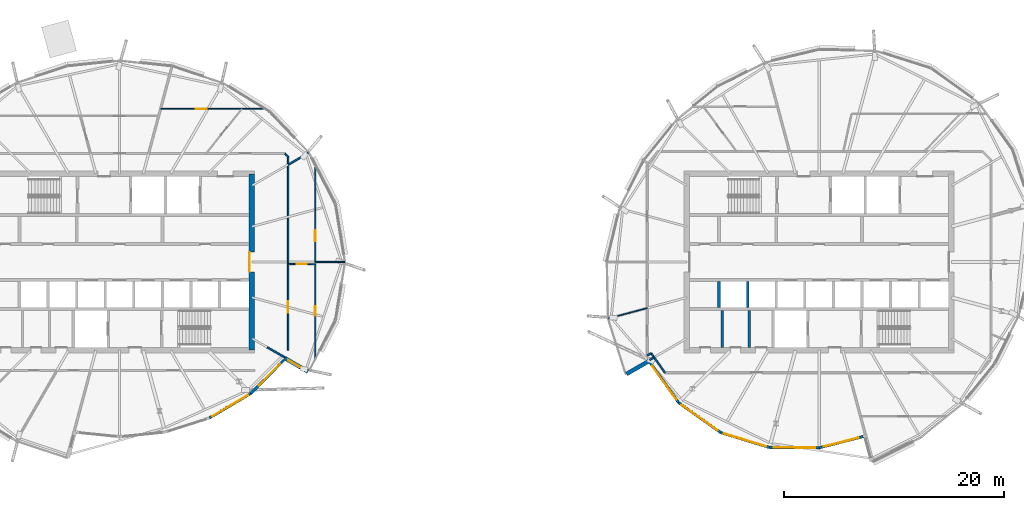
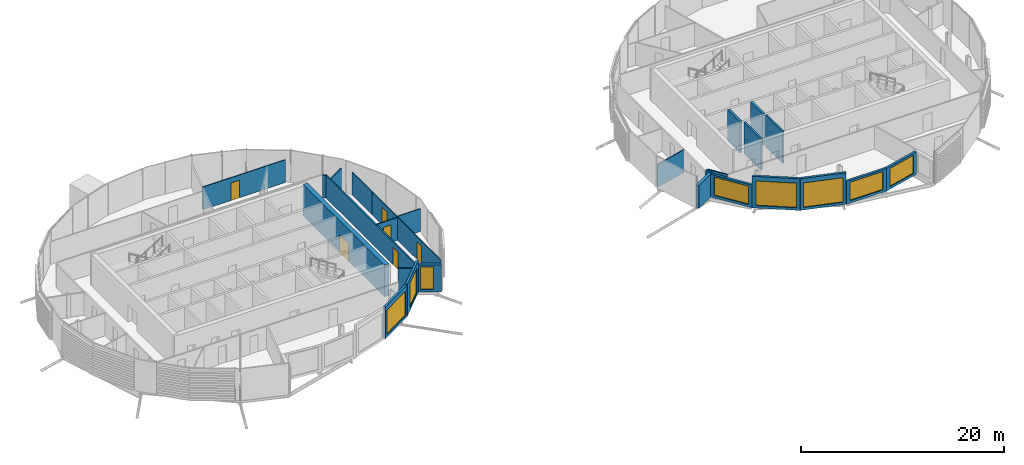
# One storey, part 18 of 33: 28 walls, 8 windows, 6 doors, 14 openings.
"""IFC4 building model written with IfcOpenShell, lengths in metres."""

from ifc_helpers import new_model, si_unit, direction, frame, frame_2d, origin, place, context, subcontext, project, spatial, rectangle, extrude, material, layer, layer_set, type_object, element, fill, save


model = new_model("IFC4")

# Units and contexts
model_context = context("Model", 3, precision=1e-05, world=origin(), true_north=direction((0.0, 1.0)))
body_context = subcontext(model_context, "Body", "Model", "MODEL_VIEW")
ifc_project = project(units=[si_unit("LENGTHUNIT", "METRE"), si_unit("AREAUNIT", "SQUARE_METRE"), si_unit("VOLUMEUNIT", "CUBIC_METRE"), si_unit("PLANEANGLEUNIT", "RADIAN"), si_unit("MASSUNIT", "GRAM", prefix="KILO")], contexts=[model_context])

# Site, building, storey
site_placement = place(None, origin())
site = spatial("IfcSite", under=ifc_project, at=site_placement, CompositionType="ELEMENT")
building_placement = place(site_placement, origin())
building = spatial("IfcBuilding", under=site, at=building_placement, Name="Rimbun Link Towers", CompositionType="ELEMENT")
storey_placement = place(building_placement, frame((0.0, 0.0, 237.10009765625)))
storey = spatial("IfcBuildingStorey", under=building, at=storey_placement, Name="L58", CompositionType="ELEMENT", Elevation=237.10009765625)

# Wall, opening, window
ifc_material_1 = material(Name="Dark enamelled glass spandrel on insulated aluminium backpan", Category="aluminium")
ifc_layer_1 = layer(ifc_material_1, 0.25)
ifc_layer_set_1 = layer_set([ifc_layer_1], Name="CS dark enamelled spandrel wall 250")
wall_type_1 = type_object("IfcWallType", Name="CS dark enamelled spandrel wall 250", PredefinedType="STANDARD", material=ifc_layer_set_1)
wall_1_placement = place(storey_placement, frame((-19.836669921875, -11.93505859375, 0.0), z_axis=(0.0, 0.0, 1.0), x_axis=(-0.860265171874, -0.50984687315, 0.0)))
wall_1 = element("IfcWall", 1, at=wall_1_placement, inside=storey, type_object=wall_type_1, Name="Crease spandrel wall", PredefinedType="STANDARD", context=body_context, shape_type="SweptSolid", body=[
    extrude(rectangle(XDim=4.36279296875, YDim=0.25, at=frame_2d((2.181396484375, 0.0))), origin(), (0.0, 0.0, 1.0), 3.7998046875),
])
opening_1_placement = place(wall_1_placement, frame((0.306396484375, 0.0, 0.300048828125)))
opening_1 = element("IfcOpeningElement", 2, at=opening_1_placement, cuts=wall_1, Name="Opening WR38H295", PredefinedType="OPENING", context=body_context, shape_type="SweptSolid", body=[
    extrude(rectangle(XDim=3.75, YDim=2.949951171875, at=frame_2d((1.875, 1.47509765625))), frame((0.0, 0.135009765625, 0.0), z_axis=(0.0, -1.0, 0.0), x_axis=(1.0, 0.0, 0.0)), (0.0, 0.0, 1.0), 0.27001953125),
])
ifc_material_2 = material(Name="Aluminium framed fixed window, dark tinted low-e glass", Category="aluminium")
window_type_1 = type_object("IfcWindowType", Name="WR ribbon window 3750X2950", PartitioningType="SINGLE_PANEL", PredefinedType="WINDOW", material=ifc_material_2)
window_1_placement = place(opening_1_placement, origin())
window_1 = element("IfcWindow", 3, at=window_1_placement, inside=storey, type_object=window_type_1, Name="Crease ribbon window", OverallHeight=2.949951171875, OverallWidth=3.75, PartitioningType="SINGLE_PANEL", PredefinedType="WINDOW", context=body_context, shape_type="SweptSolid", body=[
    extrude(rectangle(XDim=3.75, YDim=2.949951171875, at=frame_2d((1.875, 1.47509765625))), frame((0.0, 0.030029296875, 0.0), z_axis=(0.0, -1.0, 0.0), x_axis=(1.0, 0.0, 0.0)), (0.0, 0.0, 1.0), 0.06005859375),
])
fill(opening_1, window_1)

wall_2_placement = place(storey_placement, frame((-16.833251953125, -8.90087890625, 0.0), z_axis=(0.0, 0.0, 1.0), x_axis=(-0.703494922495, -0.710700284244, 0.0)))
wall_2 = element("IfcWall", 4, at=wall_2_placement, inside=storey, type_object=wall_type_1, Name="Crease spandrel wall", PredefinedType="STANDARD", context=body_context, shape_type="SweptSolid", body=[
    extrude(rectangle(XDim=4.269287109375, YDim=0.25, at=frame_2d((2.134765625, 0.0))), origin(), (0.0, 0.0, 1.0), 3.7998046875),
])
opening_2_placement = place(wall_2_placement, frame((0.471923828125, 0.0, 0.300048828125)))
opening_2 = element("IfcOpeningElement", 5, at=opening_2_placement, cuts=wall_2, Name="Opening WR28H295", PredefinedType="OPENING", context=body_context, shape_type="SweptSolid", body=[
    extrude(rectangle(XDim=2.75, YDim=2.949951171875, at=frame_2d((1.375, 1.47509765625))), frame((0.0, 0.135009765625, 0.0), z_axis=(0.0, -1.0, 0.0), x_axis=(1.0, 0.0, 0.0)), (0.0, 0.0, 1.0), 0.27001953125),
])
ifc_material_3 = material(Name="Aluminium framed fixed window, dark tinted low-e glass", Category="aluminium")
window_type_2 = type_object("IfcWindowType", Name="WR ribbon window 2750X2950", PartitioningType="SINGLE_PANEL", PredefinedType="WINDOW", material=ifc_material_3)
window_2_placement = place(opening_2_placement, origin())
window_2 = element("IfcWindow", 6, at=window_2_placement, inside=storey, type_object=window_type_2, Name="Crease ribbon window", OverallHeight=2.949951171875, OverallWidth=2.75, PartitioningType="SINGLE_PANEL", PredefinedType="WINDOW", context=body_context, shape_type="SweptSolid", body=[
    extrude(rectangle(XDim=2.75, YDim=2.949951171875, at=frame_2d((1.375, 1.47509765625))), frame((0.0, 0.030029296875, 0.0), z_axis=(0.0, -1.0, 0.0), x_axis=(1.0, 0.0, 0.0)), (0.0, 0.0, 1.0), 0.06005859375),
])
fill(opening_2, window_2)

wall_3_placement = place(storey_placement, frame((18.9853515625, -12.7646484375, 0.0), z_axis=(0.0, 0.0, 1.0), x_axis=(-0.579349370763, 0.81507932534, 0.0)))
wall_3 = element("IfcWall", 7, at=wall_3_placement, inside=storey, type_object=wall_type_1, Name="Crease spandrel wall", PredefinedType="STANDARD", context=body_context, shape_type="SweptSolid", body=[
    extrude(rectangle(XDim=4.442138671875, YDim=0.25, at=frame_2d((2.22119140625, 0.0))), origin(), (0.0, 0.0, 1.0), 2.7314453125),
])
opening_3_placement = place(wall_3_placement, frame((0.345947265625, 0.0, 0.300048828125)))
opening_3 = element("IfcOpeningElement", 8, at=opening_3_placement, cuts=wall_3, Name="Opening WR38H220", PredefinedType="OPENING", context=body_context, shape_type="SweptSolid", body=[
    extrude(rectangle(XDim=3.75, YDim=2.199951171875, at=frame_2d((1.875, 1.10009765625))), frame((0.0, 0.135009765625, 0.0), z_axis=(0.0, -1.0, 0.0), x_axis=(1.0, 0.0, 0.0)), (0.0, 0.0, 1.0), 0.27001953125),
])
ifc_material_4 = material(Name="Aluminium framed fixed window, dark tinted low-e glass", Category="aluminium")
window_type_3 = type_object("IfcWindowType", Name="WR ribbon window 3750X2200", PartitioningType="SINGLE_PANEL", PredefinedType="WINDOW", material=ifc_material_4)
window_3_placement = place(opening_3_placement, origin())
window_3 = element("IfcWindow", 9, at=window_3_placement, inside=storey, type_object=window_type_3, Name="Crease ribbon window", OverallHeight=2.199951171875, OverallWidth=3.75, PartitioningType="SINGLE_PANEL", PredefinedType="WINDOW", context=body_context, shape_type="SweptSolid", body=[
    extrude(rectangle(XDim=3.75, YDim=2.199951171875, at=frame_2d((1.875, 1.10009765625))), frame((0.0, 0.030029296875, 0.0), z_axis=(0.0, -1.0, 0.0), x_axis=(1.0, 0.0, 0.0)), (0.0, 0.0, 1.0), 0.06005859375),
])
fill(opening_3, window_3)

wall_4_placement = place(storey_placement, frame((22.8173828125, -15.488525390625, 0.0), z_axis=(0.0, 0.0, 1.0), x_axis=(-0.815068124379, 0.579365128931, 0.0)))
wall_4 = element("IfcWall", 10, at=wall_4_placement, inside=storey, type_object=wall_type_1, Name="Crease spandrel wall", PredefinedType="STANDARD", context=body_context, shape_type="SweptSolid", body=[
    extrude(rectangle(XDim=4.701416015625, YDim=0.25, at=frame_2d((2.3505859375, 0.0))), origin(), (0.0, 0.0, 1.0), 3.7998046875),
])
opening_4_placement = place(wall_4_placement, frame((0.350830078125, 0.0, 0.300048828125)))
opening_4 = element("IfcOpeningElement", 11, at=opening_4_placement, cuts=wall_4, Name="Opening WR40H295", PredefinedType="OPENING", context=body_context, shape_type="SweptSolid", body=[
    extrude(rectangle(XDim=4.0, YDim=2.949951171875, at=frame_2d((2.0, 1.47509765625))), frame((0.0, 0.135009765625, 0.0), z_axis=(0.0, -1.0, 0.0), x_axis=(1.0, 0.0, 0.0)), (0.0, 0.0, 1.0), 0.27001953125),
])
ifc_material_5 = material(Name="Aluminium framed fixed window, dark tinted low-e glass", Category="aluminium")
window_type_4 = type_object("IfcWindowType", Name="WR ribbon window 4000X2950", PartitioningType="SINGLE_PANEL", PredefinedType="WINDOW", material=ifc_material_5)
window_4_placement = place(opening_4_placement, origin())
window_4 = element("IfcWindow", 12, at=window_4_placement, inside=storey, type_object=window_type_4, Name="Crease ribbon window", OverallHeight=2.949951171875, OverallWidth=4.0, PartitioningType="SINGLE_PANEL", PredefinedType="WINDOW", context=body_context, shape_type="SweptSolid", body=[
    extrude(rectangle(XDim=4.0, YDim=2.949951171875, at=frame_2d((2.0, 1.47509765625))), frame((0.0, 0.030029296875, 0.0), z_axis=(0.0, -1.0, 0.0), x_axis=(1.0, 0.0, 0.0)), (0.0, 0.0, 1.0), 0.06005859375),
])
fill(opening_4, window_4)

wall_5_placement = place(storey_placement, frame((27.252197265625, -16.84033203125, 0.0), z_axis=(0.0, 0.0, 1.0), x_axis=(-0.956548795728, 0.291572291877, 0.0)))
wall_5 = element("IfcWall", 13, at=wall_5_placement, inside=storey, type_object=wall_type_1, Name="Crease spandrel wall", PredefinedType="STANDARD", context=body_context, shape_type="SweptSolid", body=[
    extrude(rectangle(XDim=4.63623046875, YDim=0.25, at=frame_2d((2.318115234375, 0.0))), origin(), (0.0, 0.0, 1.0), 3.7998046875),
])
opening_5_placement = place(wall_5_placement, frame((0.318115234375, 0.0, 0.300048828125)))
opening_5 = element("IfcOpeningElement", 14, at=opening_5_placement, cuts=wall_5, Name="Opening WR40H295", PredefinedType="OPENING", context=body_context, shape_type="SweptSolid", body=[
    extrude(rectangle(XDim=4.0, YDim=2.949951171875, at=frame_2d((2.0, 1.47509765625))), frame((0.0, 0.135009765625, 0.0), z_axis=(0.0, -1.0, 0.0), x_axis=(1.0, 0.0, 0.0)), (0.0, 0.0, 1.0), 0.27001953125),
])
window_5_placement = place(opening_5_placement, origin())
window_5 = element("IfcWindow", 15, at=window_5_placement, inside=storey, type_object=window_type_4, Name="Crease ribbon window", OverallHeight=2.949951171875, OverallWidth=4.0, PartitioningType="SINGLE_PANEL", PredefinedType="WINDOW", context=body_context, shape_type="SweptSolid", body=[
    extrude(rectangle(XDim=4.0, YDim=2.949951171875, at=frame_2d((2.0, 1.47509765625))), frame((0.0, 0.030029296875, 0.0), z_axis=(0.0, -1.0, 0.0), x_axis=(1.0, 0.0, 0.0)), (0.0, 0.0, 1.0), 0.06005859375),
])
fill(opening_5, window_5)

wall_6_placement = place(storey_placement, frame((31.765380859375, -16.86328125, 0.0), z_axis=(0.0, 0.0, 1.0), x_axis=(-0.999987071999, 0.005084863398, 0.0)))
wall_6 = element("IfcWall", 16, at=wall_6_placement, inside=storey, type_object=wall_type_1, Name="Crease spandrel wall", PredefinedType="STANDARD", context=body_context, shape_type="SweptSolid", body=[
    extrude(rectangle(XDim=4.51318359375, YDim=0.25, at=frame_2d((2.256591796875, 0.0))), origin(), (0.0, 0.0, 1.0), 2.7314453125),
])
opening_6_placement = place(wall_6_placement, frame((0.381591796875, 0.0, 0.300048828125)))
opening_6 = element("IfcOpeningElement", 17, at=opening_6_placement, cuts=wall_6, Name="Opening WR38H220", PredefinedType="OPENING", context=body_context, shape_type="SweptSolid", body=[
    extrude(rectangle(XDim=3.75, YDim=2.199951171875, at=frame_2d((1.875, 1.10009765625))), frame((0.0, 0.135009765625, 0.0), z_axis=(0.0, -1.0, 0.0), x_axis=(1.0, 0.0, 0.0)), (0.0, 0.0, 1.0), 0.27001953125),
])
window_6_placement = place(opening_6_placement, origin())
window_6 = element("IfcWindow", 18, at=window_6_placement, inside=storey, type_object=window_type_3, Name="Crease ribbon window", OverallHeight=2.199951171875, OverallWidth=3.75, PartitioningType="SINGLE_PANEL", PredefinedType="WINDOW", context=body_context, shape_type="SweptSolid", body=[
    extrude(rectangle(XDim=3.75, YDim=2.199951171875, at=frame_2d((1.875, 1.10009765625))), frame((0.0, 0.030029296875, 0.0), z_axis=(0.0, -1.0, 0.0), x_axis=(1.0, 0.0, 0.0)), (0.0, 0.0, 1.0), 0.06005859375),
])
fill(opening_6, window_6)

wall_7_placement = place(storey_placement, frame((35.737548828125, -15.84765625, 0.0), z_axis=(0.0, 0.0, 1.0), x_axis=(-0.96883262214, -0.247716269705, 0.0)))
wall_7 = element("IfcWall", 19, at=wall_7_placement, inside=storey, type_object=wall_type_1, Name="Crease spandrel wall", PredefinedType="STANDARD", context=body_context, shape_type="SweptSolid", body=[
    extrude(rectangle(XDim=4.099853515625, YDim=0.25, at=frame_2d((2.0498046875, 0.0))), origin(), (0.0, 0.0, 1.0), 2.7314453125),
])
opening_7_placement = place(wall_7_placement, frame((0.425048828125, 0.0, 0.300048828125)))
opening_7 = element("IfcOpeningElement", 20, at=opening_7_placement, cuts=wall_7, Name="Opening WR32H220", PredefinedType="OPENING", context=body_context, shape_type="SweptSolid", body=[
    extrude(rectangle(XDim=3.25, YDim=2.199951171875, at=frame_2d((1.625, 1.10009765625))), frame((0.0, 0.135009765625, 0.0), z_axis=(0.0, -1.0, 0.0), x_axis=(1.0, 0.0, 0.0)), (0.0, 0.0, 1.0), 0.27001953125),
])
ifc_material_6 = material(Name="Aluminium framed fixed window, dark tinted low-e glass", Category="aluminium")
window_type_5 = type_object("IfcWindowType", Name="WR ribbon window 3250X2200", PartitioningType="SINGLE_PANEL", PredefinedType="WINDOW", material=ifc_material_6)
window_7_placement = place(opening_7_placement, origin())
window_7 = element("IfcWindow", 21, at=window_7_placement, inside=storey, type_object=window_type_5, Name="Crease ribbon window", OverallHeight=2.199951171875, OverallWidth=3.25, PartitioningType="SINGLE_PANEL", PredefinedType="WINDOW", context=body_context, shape_type="SweptSolid", body=[
    extrude(rectangle(XDim=3.25, YDim=2.199951171875, at=frame_2d((1.625, 1.10009765625))), frame((0.0, 0.030029296875, 0.0), z_axis=(0.0, -1.0, 0.0), x_axis=(1.0, 0.0, 0.0)), (0.0, 0.0, 1.0), 0.06005859375),
])
fill(opening_7, window_7)

ifc_material_7 = material(Name="Dark enamelled glass spandrel on insulated aluminium backpan", Category="aluminium")
ifc_layer_2 = layer(ifc_material_7, 0.3701171875)
ifc_layer_set_2 = layer_set([ifc_layer_2], Name="CS dark enamelled spandrel wall 370")
wall_type_2 = type_object("IfcWallType", Name="CS dark enamelled spandrel wall 370", PredefinedType="STANDARD", material=ifc_layer_set_2)
wall_8_placement = place(storey_placement, frame((-14.648193359375, -9.948974609375, 0.0), z_axis=(0.0, 0.0, 1.0), x_axis=(-0.866023285932, 0.50000366821, 0.0)))
wall_8 = element("IfcWall", 22, at=wall_8_placement, inside=storey, type_object=wall_type_2, Name="Crease spandrel wall", PredefinedType="STANDARD", context=body_context, shape_type="SweptSolid", body=[
    extrude(rectangle(XDim=2.47998046875, YDim=0.3701171875, at=frame_2d((1.239990234375, 0.0))), origin(), (0.0, 0.0, 1.0), 3.243408203125),
])
opening_8_placement = place(wall_8_placement, frame((0.819091796875, 0.0, 0.300048828125)))
opening_8 = element("IfcOpeningElement", 23, at=opening_8_placement, cuts=wall_8, Name="Opening WR12H270", PredefinedType="OPENING", context=body_context, shape_type="SweptSolid", body=[
    extrude(rectangle(XDim=1.25, YDim=2.699951171875, at=frame_2d((0.625, 1.35009765625))), frame((0.0, 0.195068359375, 0.0), z_axis=(0.0, -1.0, 0.0), x_axis=(1.0, 0.0, 0.0)), (0.0, 0.0, 1.0), 0.39013671875),
])
ifc_material_8 = material(Name="Aluminium framed fixed window, dark tinted low-e glass", Category="aluminium")
window_type_6 = type_object("IfcWindowType", Name="WR ribbon window 1250X2700", PartitioningType="SINGLE_PANEL", PredefinedType="WINDOW", material=ifc_material_8)
window_8_placement = place(opening_8_placement, origin())
window_8 = element("IfcWindow", 24, at=window_8_placement, inside=storey, type_object=window_type_6, Name="Crease ribbon window", OverallHeight=2.699951171875, OverallWidth=1.25, PartitioningType="SINGLE_PANEL", PredefinedType="WINDOW", context=body_context, shape_type="SweptSolid", body=[
    extrude(rectangle(XDim=1.25, YDim=2.699951171875, at=frame_2d((0.625, 1.35009765625))), frame((0.0, 0.030029296875, 0.0), z_axis=(0.0, -1.0, 0.0), x_axis=(1.0, 0.0, 0.0)), (0.0, 0.0, 1.0), 0.06005859375),
])
fill(opening_8, window_8)

# Walls
wall_9_placement = place(storey_placement, frame((16.40771484375, -8.93310546875, 0.0), z_axis=(0.0, 0.0, 1.0), x_axis=(-0.866023285932, -0.50000366821, 0.0)))
element("IfcWall", 25, at=wall_9_placement, inside=storey, type_object=wall_type_2, Name="Crease spandrel wall", PredefinedType="STANDARD", context=body_context, shape_type="SweptSolid", body=[
    extrude(rectangle(XDim=2.47998046875, YDim=0.3701171875, at=frame_2d((1.239990234375, 0.0))), origin(), (0.0, 0.0, 1.0), 2.7314453125),
])
ifc_material_9 = material(Name="Masonry blockwork", Category="masonry")
ifc_layer_3 = layer(ifc_material_9, 0.199951171875)
ifc_layer_set_3 = layer_set([ifc_layer_3], Name="Core partition 200")
wall_type_3 = type_object("IfcWallType", Name="Core partition 200", PredefinedType="PARTITIONING", material=ifc_layer_set_3)
for number, where, z_axis, x_axis, name in (
    (26, (22.949951171875, -4.39990234375, 0.0), (0.0, 0.0, 1.0), (0.0, -1.0, 0.0), "L58 T2 core wall C1"),
    (27, (25.39990234375, -4.39990234375, 0.0), (0.0, 0.0, 1.0), (0.0, -1.0, 0.0), "L58 T2 core wall C2"),
):
    element("IfcWall", number, at=place(storey_placement, frame(where, z_axis=z_axis, x_axis=x_axis)), inside=storey, type_object=wall_type_3, Name=name, PredefinedType="PARTITIONING", context=body_context, shape_type="SweptSolid", body=[
        extrude(rectangle(XDim=3.35009765625, YDim=0.199951171875, at=frame_2d((1.675048828125, 0.0))), origin(), (0.0, 0.0, 1.0), 3.7998046875),
    ])

# Wall, opening, door
ifc_material_10 = material(Name="Concrete C60/75", Category="concrete")
ifc_layer_4 = layer(ifc_material_10, 0.5)
ifc_layer_set_4 = layer_set([ifc_layer_4], Name="Core shear wall 500")
wall_type_4 = type_object("IfcWallType", Name="Core shear wall 500", PredefinedType="SHEAR", material=ifc_layer_set_4)
wall_10_placement = place(storey_placement, frame((-19.75, -8.0, 0.0), z_axis=(0.0, 0.0, 1.0), x_axis=(0.0, 1.0, 0.0)))
wall_10 = element("IfcWall", 28, at=wall_10_placement, inside=storey, type_object=wall_type_4, Name="L58 T1 core wall E", PredefinedType="SHEAR", context=body_context, shape_type="SweptSolid", body=[
    extrude(rectangle(XDim=16.0, YDim=0.5, at=frame_2d((8.0, 0.0))), origin(), (0.0, 0.0, 1.0), 3.7998046875),
])
opening_9_placement = place(wall_10_placement, frame((7.10009765625, 0.0, 0.0)))
opening_9 = element("IfcOpeningElement", 29, at=opening_9_placement, cuts=wall_10, Name="Opening C1DCL01E", PredefinedType="OPENING", context=body_context, shape_type="SweptSolid", body=[
    extrude(rectangle(XDim=1.800048828125, YDim=2.10009765625, at=frame_2d((0.89990234375, 1.050048828125))), frame((0.0, 0.260009765625, 0.0), z_axis=(0.0, -1.0, 0.0), x_axis=(1.0, 0.0, 0.0)), (0.0, 0.0, 1.0), 0.52001953125),
])
ifc_material_11 = material(Name="Steel fire door set", Category="steel")
door_type_1 = type_object("IfcDoorType", Name="Core lobby door double", OperationType="DOUBLE_DOOR_SINGLE_SWING", PredefinedType="DOOR", material=ifc_material_11)
door_1_placement = place(opening_9_placement, origin())
door_1 = element("IfcDoor", 30, at=door_1_placement, inside=storey, type_object=door_type_1, Name="L58 T1 lift lobby door", OperationType="DOUBLE_DOOR_SINGLE_SWING", OverallHeight=2.10009765625, OverallWidth=1.800048828125, PredefinedType="DOOR", context=body_context, shape_type="SweptSolid", body=[
    extrude(rectangle(XDim=1.800048828125, YDim=2.10009765625, at=frame_2d((0.89990234375, 1.050048828125))), frame((0.0, 0.25, 0.0), z_axis=(0.0, -1.0, 0.0), x_axis=(1.0, 0.0, 0.0)), (0.0, 0.0, 1.0), 0.050048828125),
])
fill(opening_9, door_1)

ifc_material_12 = material(Name="Plasterboard on steel stud, mineral wool", Category="steel")
ifc_layer_5 = layer(ifc_material_12, 0.14990234375)
ifc_layer_set_5 = layer_set([ifc_layer_5], Name="Corridor wall EI 30 150 mm")
wall_type_5 = type_object("IfcWallType", Name="Corridor wall EI 30 150 mm", PredefinedType="PARTITIONING", material=ifc_layer_set_5)
wall_11_placement = place(storey_placement, frame((-16.445068359375, 9.543701171875, 0.0), z_axis=(0.0, 0.0, 1.0), x_axis=(0.0, -1.0, 0.0)))
wall_11 = element("IfcWall", 31, at=wall_11_placement, inside=storey, type_object=wall_type_5, Name="Corridor wall EI 30 150 mm", PredefinedType="PARTITIONING", context=body_context, shape_type="SweptSolid", body=[
    extrude(rectangle(XDim=17.53564453125, YDim=0.14990234375, at=frame_2d((8.767822265625, 0.0))), origin(), (0.0, 0.0, 1.0), 2.721923828125),
])
opening_10_placement = place(wall_11_placement, frame((13.127197265625, 0.0, 0.0)))
opening_10 = element("IfcOpeningElement", 32, at=opening_10_placement, cuts=wall_11, Name="Opening D01", PredefinedType="OPENING", context=body_context, shape_type="SweptSolid", body=[
    extrude(rectangle(XDim=1.0, YDim=2.10009765625, at=frame_2d((0.5, 1.050048828125))), frame((0.0, 0.0849609375, 0.0), z_axis=(0.0, -1.0, 0.0), x_axis=(1.0, 0.0, 0.0)), (0.0, 0.0, 1.0), 0.169921875),
])
ifc_material_13 = material(Name="Fire-resisting timber door leaf", Category="wood")
door_type_2 = type_object("IfcDoorType", Name="Fire door FD30S 1000", OperationType="NOTDEFINED", PredefinedType="DOOR", material=ifc_material_13)
door_2_placement = place(opening_10_placement, origin())
door_2 = element("IfcDoor", 33, at=door_2_placement, inside=storey, type_object=door_type_2, Name="Fire door FD30S 1000 to Reception", OperationType="SINGLE_SWING_LEFT", OverallHeight=2.10009765625, OverallWidth=1.0, PredefinedType="DOOR", context=body_context, shape_type="SweptSolid", body=[
    extrude(rectangle(XDim=1.0, YDim=2.10009765625, at=frame_2d((0.5, 1.050048828125))), frame((0.0, 0.02490234375, 0.0), z_axis=(0.0, -1.0, 0.0), x_axis=(1.0, 0.0, 0.0)), (0.0, 0.0, 1.0), 0.050048828125),
])
fill(opening_10, door_2)

# Walls
wall_12_placement = place(storey_placement, frame((-16.445068359375, 9.543701171875, 0.0), z_axis=(0.0, 0.0, 1.0), x_axis=(-0.707106781187, 0.707106781187, 0.0)))
element("IfcWall", 34, at=wall_12_placement, inside=storey, type_object=wall_type_5, Name="Corridor wall EI 30 150 mm", PredefinedType="PARTITIONING", context=body_context, shape_type="SweptSolid", body=[
    extrude(rectangle(XDim=0.426025390625, YDim=0.14990234375, at=frame_2d((0.212890625, 0.0))), origin(), (0.0, 0.0, 1.0), 2.721923828125),
])
wall_13_placement = place(storey_placement, frame((16.504638671875, -8.2822265625, 0.0), z_axis=(0.0, 0.0, 1.0), x_axis=(0.579357158971, -0.815073789512, 0.0)))
element("IfcWall", 35, at=wall_13_placement, inside=storey, type_object=wall_type_5, Name="Corridor wall EI 30 150 mm", PredefinedType="PARTITIONING", context=body_context, shape_type="SweptSolid", body=[
    extrude(rectangle(XDim=2.16259765625, YDim=0.14990234375, at=frame_2d((1.081298828125, 0.0))), origin(), (0.0, 0.0, 1.0), 2.721923828125),
])
wall_14_placement = place(storey_placement, frame((16.14501953125, -8.489990234375, 0.0), z_axis=(0.0, 0.0, 1.0), x_axis=(0.86588204838, 0.500248216681, 0.0)))
element("IfcWall", 36, at=wall_14_placement, inside=storey, type_object=wall_type_5, Name="Corridor wall EI 30 150 mm", PredefinedType="PARTITIONING", context=body_context, shape_type="SweptSolid", body=[
    extrude(rectangle(XDim=0.415283203125, YDim=0.14990234375, at=frame_2d((0.20751953125, 0.0))), origin(), (0.0, 0.0, 1.0), 2.721923828125),
])

# Wall, opening, door
ifc_material_14 = material(Name="Plasterboard on steel stud", Category="steel")
ifc_layer_6 = layer(ifc_material_14, 0.10009765625)
ifc_layer_set_6 = layer_set([ifc_layer_6], Name="Plasterboard partition 100 mm")
wall_type_6 = type_object("IfcWallType", Name="Plasterboard partition 100 mm", PredefinedType="PARTITIONING", material=ifc_layer_set_6)
wall_15_placement = place(storey_placement, frame((-16.445068359375, -0.1748046875, 0.0), z_axis=(0.0, 0.0, 1.0), x_axis=(0.999934875119, -0.011412515943, 0.0)))
wall_15 = element("IfcWall", 37, at=wall_15_placement, inside=storey, type_object=wall_type_6, Name="Plasterboard partition 100 mm", PredefinedType="PARTITIONING", context=body_context, shape_type="SweptSolid", body=[
    extrude(rectangle(XDim=2.460205078125, YDim=0.10009765625, at=frame_2d((1.22998046875, 0.0))), origin(), (0.0, 0.0, 1.0), 2.721923828125),
])
opening_11_placement = place(wall_15_placement, frame((0.780029296875, 0.0, 0.0)))
opening_11 = element("IfcOpeningElement", 38, at=opening_11_placement, cuts=wall_15, Name="Opening D04", PredefinedType="OPENING", context=body_context, shape_type="SweptSolid", body=[
    extrude(rectangle(XDim=0.89990234375, YDim=2.10009765625, at=frame_2d((0.449951171875, 1.050048828125))), frame((0.0, 0.06005859375, 0.0), z_axis=(0.0, -1.0, 0.0), x_axis=(1.0, 0.0, 0.0)), (0.0, 0.0, 1.0), 0.1201171875),
])
ifc_material_15 = material(Name="Timber door leaf", Category="wood")
door_type_3 = type_object("IfcDoorType", Name="Flush door 900", OperationType="NOTDEFINED", PredefinedType="DOOR", material=ifc_material_15)
door_3_placement = place(opening_11_placement, origin())
door_3 = element("IfcDoor", 39, at=door_3_placement, inside=storey, type_object=door_type_3, Name="Flush door 900 to Meeting room", OperationType="SINGLE_SWING_LEFT", OverallHeight=2.10009765625, OverallWidth=0.89990234375, PredefinedType="DOOR", context=body_context, shape_type="SweptSolid", body=[
    extrude(rectangle(XDim=0.89990234375, YDim=2.10009765625, at=frame_2d((0.449951171875, 1.050048828125))), frame((0.0, 0.02490234375, 0.0), z_axis=(0.0, -1.0, 0.0), x_axis=(1.0, 0.0, 0.0)), (0.0, 0.0, 1.0), 0.050048828125),
])
fill(opening_11, door_3)

wall_16_placement = place(storey_placement, frame((-13.985107421875, -0.1728515625, 0.0), z_axis=(0.0, 0.0, 1.0), x_axis=(0.0, -1.0, 0.0)))
wall_16 = element("IfcWall", 40, at=wall_16_placement, inside=storey, type_object=wall_type_6, Name="Plasterboard partition 100 mm", PredefinedType="PARTITIONING", context=body_context, shape_type="SweptSolid", body=[
    extrude(rectangle(XDim=8.54443359375, YDim=0.10009765625, at=frame_2d((4.272216796875, 0.0))), origin(), (0.0, 0.0, 1.0), 2.721923828125),
])
opening_12_placement = place(wall_16_placement, frame((3.822265625, 0.0, 0.0)))
opening_12 = element("IfcOpeningElement", 41, at=opening_12_placement, cuts=wall_16, Name="Opening D04", PredefinedType="OPENING", context=body_context, shape_type="SweptSolid", body=[
    extrude(rectangle(XDim=0.89990234375, YDim=2.10009765625, at=frame_2d((0.449951171875, 1.050048828125))), frame((0.0, 0.06005859375, 0.0), z_axis=(0.0, -1.0, 0.0), x_axis=(1.0, 0.0, 0.0)), (0.0, 0.0, 1.0), 0.1201171875),
])
door_4_placement = place(opening_12_placement, origin())
door_4 = element("IfcDoor", 42, at=door_4_placement, inside=storey, type_object=door_type_3, Name="Flush door 900 to Executive office", OperationType="SINGLE_SWING_RIGHT", OverallHeight=2.10009765625, OverallWidth=0.89990234375, PredefinedType="DOOR", context=body_context, shape_type="SweptSolid", body=[
    extrude(rectangle(XDim=0.89990234375, YDim=2.10009765625, at=frame_2d((0.449951171875, 1.050048828125))), frame((0.0, 0.02490234375, 0.0), z_axis=(0.0, -1.0, 0.0), x_axis=(1.0, 0.0, 0.0)), (0.0, 0.0, 1.0), 0.050048828125),
])
fill(opening_12, door_4)

wall_17_placement = place(storey_placement, frame((-13.985107421875, 4.76025390625, 0.0), z_axis=(0.0, 0.0, 1.0), x_axis=(0.0, -1.0, 0.0)))
wall_17 = element("IfcWall", 43, at=wall_17_placement, inside=storey, type_object=wall_type_6, Name="Plasterboard partition 100 mm", PredefinedType="PARTITIONING", context=body_context, shape_type="SweptSolid", body=[
    extrude(rectangle(XDim=4.76025390625, YDim=0.10009765625, at=frame_2d((2.380126953125, 0.0))), origin(), (0.0, 0.0, 1.0), 2.721923828125),
])
opening_13_placement = place(wall_17_placement, frame((1.880126953125, 0.0, 0.0)))
opening_13 = element("IfcOpeningElement", 44, at=opening_13_placement, cuts=wall_17, Name="Opening D03", PredefinedType="OPENING", context=body_context, shape_type="SweptSolid", body=[
    extrude(rectangle(XDim=1.0, YDim=2.10009765625, at=frame_2d((0.5, 1.050048828125))), frame((0.0, 0.06005859375, 0.0), z_axis=(0.0, -1.0, 0.0), x_axis=(1.0, 0.0, 0.0)), (0.0, 0.0, 1.0), 0.1201171875),
])
ifc_material_16 = material(Name="Timber door leaf", Category="wood")
door_type_4 = type_object("IfcDoorType", Name="Flush door 1000", OperationType="NOTDEFINED", PredefinedType="DOOR", material=ifc_material_16)
door_5_placement = place(opening_13_placement, origin())
door_5 = element("IfcDoor", 45, at=door_5_placement, inside=storey, type_object=door_type_4, Name="Flush door 1000 to Open office", OperationType="SINGLE_SWING_RIGHT", OverallHeight=2.10009765625, OverallWidth=1.0, PredefinedType="DOOR", context=body_context, shape_type="SweptSolid", body=[
    extrude(rectangle(XDim=1.0, YDim=2.10009765625, at=frame_2d((0.5, 1.050048828125))), frame((0.0, 0.02490234375, 0.0), z_axis=(0.0, -1.0, 0.0), x_axis=(1.0, 0.0, 0.0)), (0.0, 0.0, 1.0), 0.050048828125),
])
fill(opening_13, door_5)

# Walls
wall_18_placement = place(storey_placement, frame((-13.985107421875, 4.76025390625, 0.0), z_axis=(0.0, 0.0, 1.0), x_axis=(0.0, 1.0, 0.0)))
element("IfcWall", 46, at=wall_18_placement, inside=storey, type_object=wall_type_6, Name="Plasterboard partition 100 mm", PredefinedType="PARTITIONING", context=body_context, shape_type="SweptSolid", body=[
    extrude(rectangle(XDim=3.95703125, YDim=0.10009765625, at=frame_2d((1.978515625, 0.0))), origin(), (0.0, 0.0, 1.0), 2.721923828125),
])
wall_19_placement = place(storey_placement, frame((-11.32470703125, 0.0, 0.0), z_axis=(0.0, 0.0, 1.0), x_axis=(-1.0, 0.0, 0.0)))
element("IfcWall", 47, at=wall_19_placement, inside=storey, type_object=wall_type_6, Name="Plasterboard partition 100 mm", PredefinedType="PARTITIONING", context=body_context, shape_type="SweptSolid", body=[
    extrude(rectangle(XDim=2.660400390625, YDim=0.10009765625, at=frame_2d((1.330078125, 0.0))), origin(), (0.0, 0.0, 1.0), 2.721923828125),
])

# Wall, opening, door
wall_20_placement = place(storey_placement, frame((-28.02685546875, 13.89501953125, 0.0), z_axis=(0.0, 0.0, 1.0), x_axis=(1.0, 0.0, 0.0)))
wall_20 = element("IfcWall", 48, at=wall_20_placement, inside=storey, type_object=wall_type_6, Name="Plasterboard partition 100 mm", PredefinedType="PARTITIONING", context=body_context, shape_type="SweptSolid", body=[
    extrude(rectangle(XDim=9.405517578125, YDim=0.10009765625, at=frame_2d((4.70263671875, 0.0))), origin(), (0.0, 0.0, 1.0), 2.721923828125),
])
opening_14_placement = place(wall_20_placement, frame((3.197998046875, 0.0, 0.0)))
opening_14 = element("IfcOpeningElement", 49, at=opening_14_placement, cuts=wall_20, Name="Opening D03", PredefinedType="OPENING", context=body_context, shape_type="SweptSolid", body=[
    extrude(rectangle(XDim=1.0, YDim=2.10009765625, at=frame_2d((0.5, 1.050048828125))), frame((0.0, 0.06005859375, 0.0), z_axis=(0.0, -1.0, 0.0), x_axis=(1.0, 0.0, 0.0)), (0.0, 0.0, 1.0), 0.1201171875),
])
door_6_placement = place(opening_14_placement, origin())
door_6 = element("IfcDoor", 50, at=door_6_placement, inside=storey, type_object=door_type_4, Name="Flush door 1000 to Boardroom", OperationType="SINGLE_SWING_LEFT", OverallHeight=2.10009765625, OverallWidth=1.0, PredefinedType="DOOR", context=body_context, shape_type="SweptSolid", body=[
    extrude(rectangle(XDim=1.0, YDim=2.10009765625, at=frame_2d((0.5, 1.050048828125))), frame((0.0, 0.02490234375, 0.0), z_axis=(0.0, -1.0, 0.0), x_axis=(1.0, 0.0, 0.0)), (0.0, 0.0, 1.0), 0.050048828125),
])
fill(opening_14, door_6)

# Walls
wall_21_placement = place(storey_placement, frame((12.61962890625, -5.1259765625, 0.0), z_axis=(0.0, 0.0, 1.0), x_axis=(0.965928942389, 0.258807415381, 0.0)))
element("IfcWall", 51, at=wall_21_placement, inside=storey, type_object=wall_type_6, Name="Plasterboard partition 100 mm", PredefinedType="PARTITIONING", context=body_context, shape_type="SweptSolid", body=[
    extrude(rectangle(XDim=3.649658203125, YDim=0.10009765625, at=frame_2d((1.82470703125, 0.0))), origin(), (0.0, 0.0, 1.0), 2.721923828125),
])
ifc_material_17 = material(Name="Concrete C60/75", Category="concrete")
ifc_layer_7 = layer(ifc_material_17, 0.25)
ifc_layer_set_7 = layer_set([ifc_layer_7], Name="Shaft wall 250")
wall_type_7 = type_object("IfcWallType", Name="Shaft wall 250", PredefinedType="SHEAR", material=ifc_layer_set_7)
for number, where, z_axis, x_axis, name in (
    (52, (22.66943359375, -4.14990234375, 0.0), (0.0, 0.0, 1.0), (0.0, 1.0, 0.0), "L58 T2 core wall DS0"),
    (53, (25.263916015625, -4.14990234375, 0.0), (0.0, 0.0, 1.0), (0.0, 1.0, 0.0), "L58 T2 core wall DS1"),
):
    element("IfcWall", number, at=place(storey_placement, frame(where, z_axis=z_axis, x_axis=x_axis)), inside=storey, type_object=wall_type_7, Name=name, PredefinedType="SHEAR", context=body_context, shape_type="SweptSolid", body=[
        extrude(rectangle(XDim=2.39990234375, YDim=0.25, at=frame_2d((1.199951171875, 0.0))), origin(), (0.0, 0.0, 1.0), 3.7998046875),
    ])
ifc_material_18 = material(Name="Plasterboard on steel stud, mineral wool", Category="steel")
ifc_layer_8 = layer(ifc_material_18, 0.14990234375)
ifc_layer_set_8 = layer_set([ifc_layer_8], Name="Tenancy separation wall EI 60 150 mm")
wall_type_8 = type_object("IfcWallType", Name="Tenancy separation wall EI 60 150 mm", PredefinedType="PARTITIONING", material=ifc_layer_set_8)
wall_22_placement = place(storey_placement, frame((-16.445068359375, 8.83642578125, 0.0), z_axis=(0.0, 0.0, 1.0), x_axis=(0.866029242824, 0.49999335053, 0.0)))
element("IfcWall", 54, at=wall_22_placement, inside=storey, type_object=wall_type_8, Name="Tenancy separation wall EI 60 150 mm", PredefinedType="PARTITIONING", context=body_context, shape_type="SweptSolid", body=[
    extrude(rectangle(XDim=2.13232421875, YDim=0.14990234375, at=frame_2d((1.066162109375, 0.0))), origin(), (0.0, 0.0, 1.0), 2.721923828125),
])
wall_23_placement = place(storey_placement, frame((-18.333984375, -7.745849609375, 0.0), z_axis=(0.0, 0.0, 1.0), x_axis=(0.866064548375, -0.499932193451, 0.0)))
element("IfcWall", 55, at=wall_23_placement, inside=storey, type_object=wall_type_8, Name="Tenancy separation wall EI 60 150 mm", PredefinedType="PARTITIONING", context=body_context, shape_type="SweptSolid", body=[
    extrude(rectangle(XDim=1.813720703125, YDim=0.14990234375, at=frame_2d((0.90673828125, 0.0))), origin(), (0.0, 0.0, 1.0), 2.721923828125),
])
wall_24_placement = place(storey_placement, frame((16.7666015625, -8.650634765625, 0.0), z_axis=(0.0, 0.0, 1.0), x_axis=(-0.866041729639, -0.499971721724, 0.0)))
element("IfcWall", 56, at=wall_24_placement, inside=storey, type_object=wall_type_8, Name="Tenancy separation wall EI 60 150 mm", PredefinedType="PARTITIONING", context=body_context, shape_type="SweptSolid", body=[
    extrude(rectangle(XDim=0.4521484375, YDim=0.14990234375, at=frame_2d((0.22607421875, 0.0))), origin(), (0.0, 0.0, 1.0), 2.721923828125),
])

save(model, "model.ifc")
